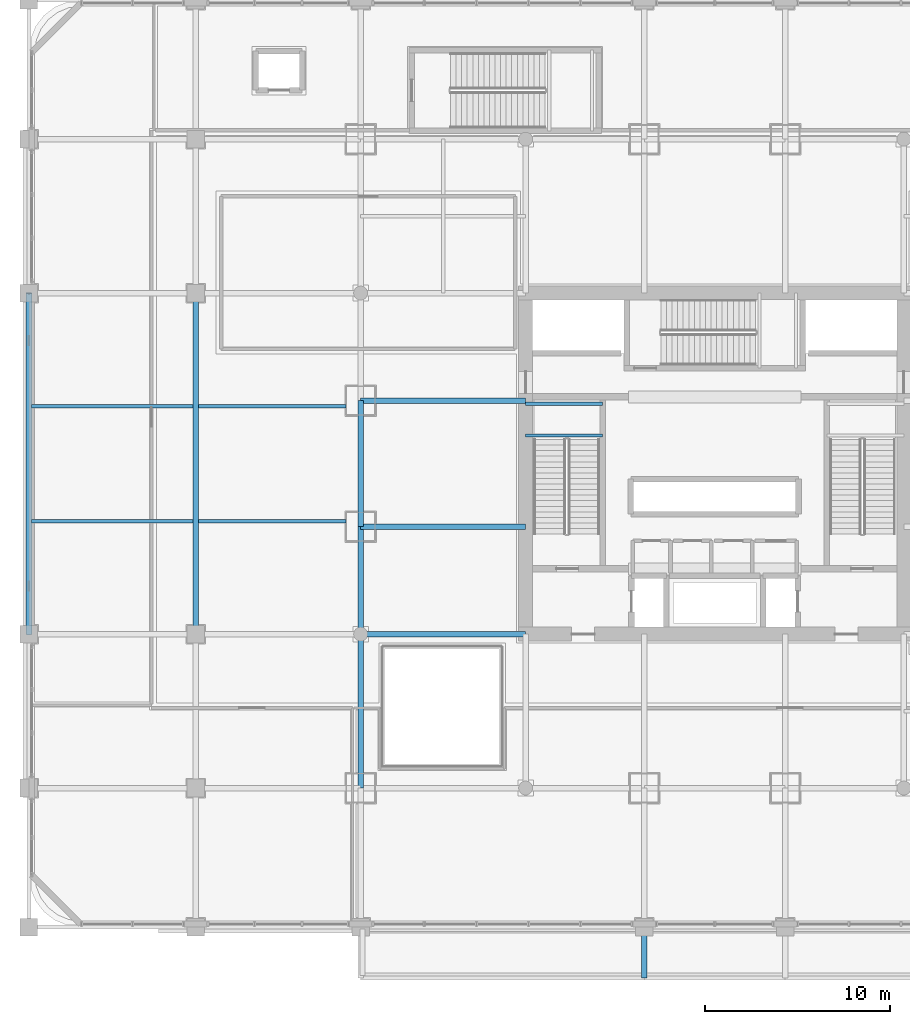
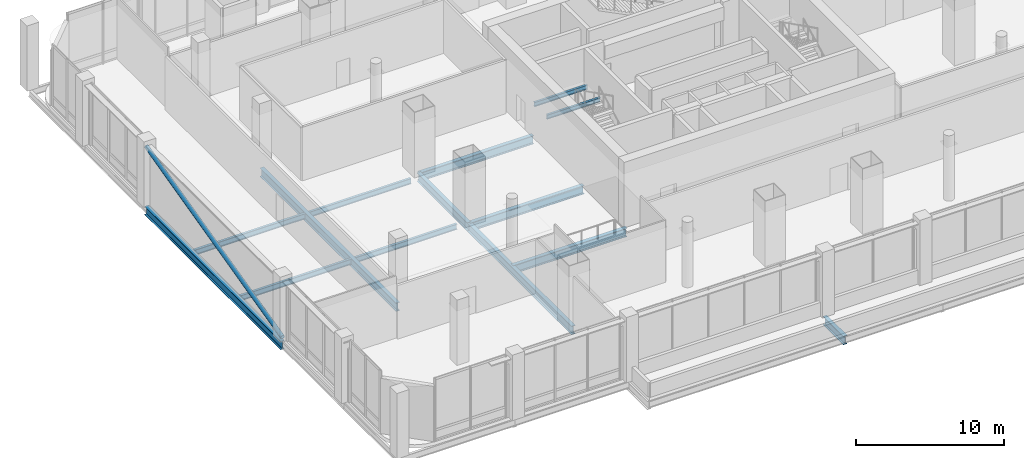
# One storey, part 7 of 43: 14 beams, 1 member.
"""IFC4 building model written with IfcOpenShell, lengths in metres."""

from ifc_helpers import new_model, si_unit, direction, frame, origin, origin_2d, place, context, subcontext, project, spatial, hollow_circle, i_section, extrude, material, material_profile, profile_set, type_object, element, save


model = new_model("IFC4")

# Units and contexts
model_context = context("Model", 3, precision=1e-05, world=origin(), true_north=direction((0.0, 1.0)))
body_context = subcontext(model_context, "Body", "Model", "MODEL_VIEW")
ifc_project = project(units=[si_unit("LENGTHUNIT", "METRE"), si_unit("AREAUNIT", "SQUARE_METRE"), si_unit("VOLUMEUNIT", "CUBIC_METRE"), si_unit("PLANEANGLEUNIT", "RADIAN"), si_unit("MASSUNIT", "GRAM", prefix="KILO")], contexts=[model_context])

# Site, building, storey
site_placement = place(None, origin())
site = spatial("IfcSite", under=ifc_project, at=site_placement, CompositionType="ELEMENT")
building_placement = place(site_placement, origin())
building = spatial("IfcBuilding", under=site, at=building_placement, Name="Punatoya Terracotta Tower", CompositionType="ELEMENT")
storey_placement = place(building_placement, frame((0.0, 0.0, 6.0)))
storey = spatial("IfcBuildingStorey", under=building, at=storey_placement, Name="L01", CompositionType="ELEMENT", Elevation=6.0)

# Beams
ifc_material = material(Name="Steel S355", Category="steel")
ifc_material_profile_1 = material_profile(ifc_material, i_section(OverallWidth=0.300048828125, OverallDepth=0.699951171875, WebThickness=0.01708984375, FlangeThickness=0.031982421875, FilletRadius=0.01806640625, at=origin_2d()))
ifc_profile_set_1 = profile_set([ifc_material_profile_1], Name="Steel S355")
beam_type_1 = type_object("IfcBeamType", Name="BM-PRI-700", PredefinedType="BEAM", material=ifc_profile_set_1)
beam_1_placement = place(storey_placement, frame((-19.10009765625, -17.5, -0.6298828125), z_axis=(0.0, 1.0, 0.0), x_axis=(-1.0, 0.0, 0.0)))
element("IfcBeam", 1, at=beam_1_placement, inside=storey, type_object=beam_type_1, Name="BM-L01-RG-W1", PredefinedType="BEAM", context=body_context, shape_type="SweptSolid", body=[
    extrude(i_section(OverallWidth=0.300048828125, OverallDepth=0.699951171875, WebThickness=0.01708984375, FlangeThickness=0.031982421875, FilletRadius=0.01806640625, at=origin_2d()), origin(), (0.0, 0.0, 1.0), 14.10009765625),
])
beam_2_placement = place(storey_placement, frame((-19.10009765625, -3.39990234375, -0.6298828125), z_axis=(0.0, 1.0, 0.0), x_axis=(-1.0, 0.0, 0.0)))
element("IfcBeam", 2, at=beam_2_placement, inside=storey, type_object=beam_type_1, Name="BM-L01-RG-W2", PredefinedType="BEAM", context=body_context, shape_type="SweptSolid", body=[
    extrude(i_section(OverallWidth=0.300048828125, OverallDepth=0.699951171875, WebThickness=0.01708984375, FlangeThickness=0.031982421875, FilletRadius=0.01806640625, at=origin_2d()), origin(), (0.0, 0.0, 1.0), 6.7998046875),
])
for number, where, z_axis, x_axis, name in (
    (3, (-19.10009765625, -9.199951171875, -0.6298828125), (1.0, 0.0, 0.0), (0.0, 1.0, 0.0), "BM-L01-PR-WS"),
    (4, (-19.10009765625, -3.39990234375, -0.6298828125), (1.0, 0.0, 0.0), (0.0, 1.0, 0.0), "BM-L01-PR-WD"),
    (5, (-19.10009765625, 3.39990234375, -0.6298828125), (1.0, 0.0, 0.0), (0.0, 1.0, 0.0), "BM-L01-PR-WE"),
):
    element("IfcBeam", number, at=place(storey_placement, frame(where, z_axis=z_axis, x_axis=x_axis)), inside=storey, type_object=beam_type_1, Name=name, PredefinedType="BEAM", context=body_context, shape_type="SweptSolid", body=[
        extrude(i_section(OverallWidth=0.300048828125, OverallDepth=0.699951171875, WebThickness=0.01708984375, FlangeThickness=0.031982421875, FilletRadius=0.01806640625, at=origin_2d()), origin(), (0.0, 0.0, 1.0), 8.900146484375),
    ])
for number, where, z_axis, x_axis, name in (
    (6, (-37.0, -9.199951171875, -0.6298828125), (0.0, 1.0, 0.0), (-1.0, 0.0, 0.0), "BM-L01-X37W--9"),
    (7, (-28.0, -9.199951171875, -0.6298828125), (0.0, 1.0, 0.0), (-1.0, 0.0, 0.0), "BM-L01-X28W--9"),
):
    element("IfcBeam", number, at=place(storey_placement, frame(where, z_axis=z_axis, x_axis=x_axis)), inside=storey, type_object=beam_type_1, Name=name, PredefinedType="BEAM", context=body_context, shape_type="SweptSolid", body=[
        extrude(i_section(OverallWidth=0.300048828125, OverallDepth=0.699951171875, WebThickness=0.01708984375, FlangeThickness=0.031982421875, FilletRadius=0.01806640625, at=origin_2d()), origin(), (0.0, 0.0, 1.0), 18.39990234375),
    ])
beam_3_placement = place(storey_placement, frame((-3.800048828125, -27.75, -0.60009765625), z_axis=(0.0, 1.0, 0.0), x_axis=(-1.0, 0.0, 0.0)))
element("IfcBeam", 8, at=beam_3_placement, inside=storey, type_object=beam_type_1, Name="BM-L01-CANS--3", PredefinedType="BEAM", context=body_context, shape_type="SweptSolid", body=[
    extrude(i_section(OverallWidth=0.300048828125, OverallDepth=0.699951171875, WebThickness=0.01708984375, FlangeThickness=0.031982421875, FilletRadius=0.01806640625, at=origin_2d()), origin(), (0.0, 0.0, 1.0), 2.75),
])
ifc_material_profile_2 = material_profile(ifc_material, i_section(OverallWidth=0.169921875, OverallDepth=0.360107421875, WebThickness=0.008056640625, FlangeThickness=0.0126953125, FilletRadius=0.01806640625, at=origin_2d()))
ifc_profile_set_2 = profile_set([ifc_material_profile_2], Name="Steel S355")
beam_type_2 = type_object("IfcBeamType", Name="BM-SEC-360", PredefinedType="JOIST", material=ifc_profile_set_2)
for number, where, z_axis, x_axis, name in (
    (9, (-10.199951171875, 1.52001953125, 2.320068359375), (1.0, 0.0, 0.0), (0.0, 1.0, 0.0), "BM-L01-ST-1-LD1A"),
    (10, (-10.199951171875, 3.22998046875, 2.320068359375), (1.0, 0.0, 0.0), (0.0, 1.0, 0.0), "BM-L01-ST-1-LD1B"),
):
    element("IfcBeam", number, at=place(storey_placement, frame(where, z_axis=z_axis, x_axis=x_axis)), inside=storey, type_object=beam_type_2, Name=name, PredefinedType="JOIST", context=body_context, shape_type="SweptSolid", body=[
        extrude(i_section(OverallWidth=0.169921875, OverallDepth=0.360107421875, WebThickness=0.008056640625, FlangeThickness=0.0126953125, FilletRadius=0.01806640625, at=origin_2d()), origin(), (0.0, 0.0, 1.0), 4.14990234375),
    ])
ifc_material_profile_3 = material_profile(ifc_material, i_section(OverallWidth=0.18994140625, OverallDepth=0.449951171875, WebThickness=0.009521484375, FlangeThickness=0.0146484375, FilletRadius=0.01806640625, at=origin_2d()))
ifc_profile_set_3 = profile_set([ifc_material_profile_3], Name="Steel S355")
beam_type_3 = type_object("IfcBeamType", Name="BM-SEC-450", PredefinedType="JOIST", material=ifc_profile_set_3)
beam_4_placement = place(storey_placement, frame((-36.85009765625, -3.10009765625, -0.5048828125), z_axis=(1.0, 0.0, 0.0), x_axis=(0.0, 1.0, 0.0)))
element("IfcBeam", 11, at=beam_4_placement, inside=storey, type_object=beam_type_3, Name="BM-L01-WNGJ-W1--31", PredefinedType="JOIST", context=body_context, shape_type="SweptSolid", body=[
    extrude(i_section(OverallWidth=0.18994140625, OverallDepth=0.449951171875, WebThickness=0.009521484375, FlangeThickness=0.0146484375, FilletRadius=0.01806640625, at=origin_2d()), origin(), (0.0, 0.0, 1.0), 8.7001953125),
])
beam_5_placement = place(storey_placement, frame((-27.85009765625, -3.10009765625, -0.5048828125), z_axis=(1.0, 0.0, 0.0), x_axis=(0.0, 1.0, 0.0)))
element("IfcBeam", 12, at=beam_5_placement, inside=storey, type_object=beam_type_3, Name="BM-L01-WNGJ-W2--31", PredefinedType="JOIST", context=body_context, shape_type="SweptSolid", body=[
    extrude(i_section(OverallWidth=0.18994140625, OverallDepth=0.449951171875, WebThickness=0.009521484375, FlangeThickness=0.0146484375, FilletRadius=0.01806640625, at=origin_2d()), origin(), (0.0, 0.0, 1.0), 7.9501953125),
])
beam_6_placement = place(storey_placement, frame((-36.85009765625, 3.10009765625, -0.5048828125), z_axis=(1.0, 0.0, 0.0), x_axis=(0.0, 1.0, 0.0)))
element("IfcBeam", 13, at=beam_6_placement, inside=storey, type_object=beam_type_3, Name="BM-L01-WNGJ-W1-31", PredefinedType="JOIST", context=body_context, shape_type="SweptSolid", body=[
    extrude(i_section(OverallWidth=0.18994140625, OverallDepth=0.449951171875, WebThickness=0.009521484375, FlangeThickness=0.0146484375, FilletRadius=0.01806640625, at=origin_2d()), origin(), (0.0, 0.0, 1.0), 8.7001953125),
])
beam_7_placement = place(storey_placement, frame((-27.85009765625, 3.10009765625, -0.5048828125), z_axis=(1.0, 0.0, 0.0), x_axis=(0.0, 1.0, 0.0)))
element("IfcBeam", 14, at=beam_7_placement, inside=storey, type_object=beam_type_3, Name="BM-L01-WNGJ-W2-31", PredefinedType="JOIST", context=body_context, shape_type="SweptSolid", body=[
    extrude(i_section(OverallWidth=0.18994140625, OverallDepth=0.449951171875, WebThickness=0.009521484375, FlangeThickness=0.0146484375, FilletRadius=0.01806640625, at=origin_2d()), origin(), (0.0, 0.0, 1.0), 7.9501953125),
])

# Member
ifc_material_profile_4 = material_profile(ifc_material, hollow_circle(Radius=0.162109375, WallThickness=0.01611328125, at=origin_2d()))
ifc_profile_set_4 = profile_set([ifc_material_profile_4], Name="Steel S355")
member_type = type_object("IfcMemberType", Name="MEM-POD-CHS", PredefinedType="BRACE", material=ifc_profile_set_4)
member_placement = place(storey_placement, frame((-37.0, -9.199951171875, 0.02001953125), z_axis=(0.0, 0.970388907621, 0.241547858543), x_axis=(-1.0, 0.0, 0.0)))
element("IfcMember", 15, at=member_placement, inside=storey, type_object=member_type, Name="L01 Podium Lateral Brace PBR-1", PredefinedType="BRACE", context=body_context, shape_type="SweptSolid", body=[
    extrude(hollow_circle(Radius=0.162109375, WallThickness=0.01611328125, at=origin_2d()), origin(), (0.0, 0.0, 1.0), 18.96142578125),
])

save(model, "model.ifc")
